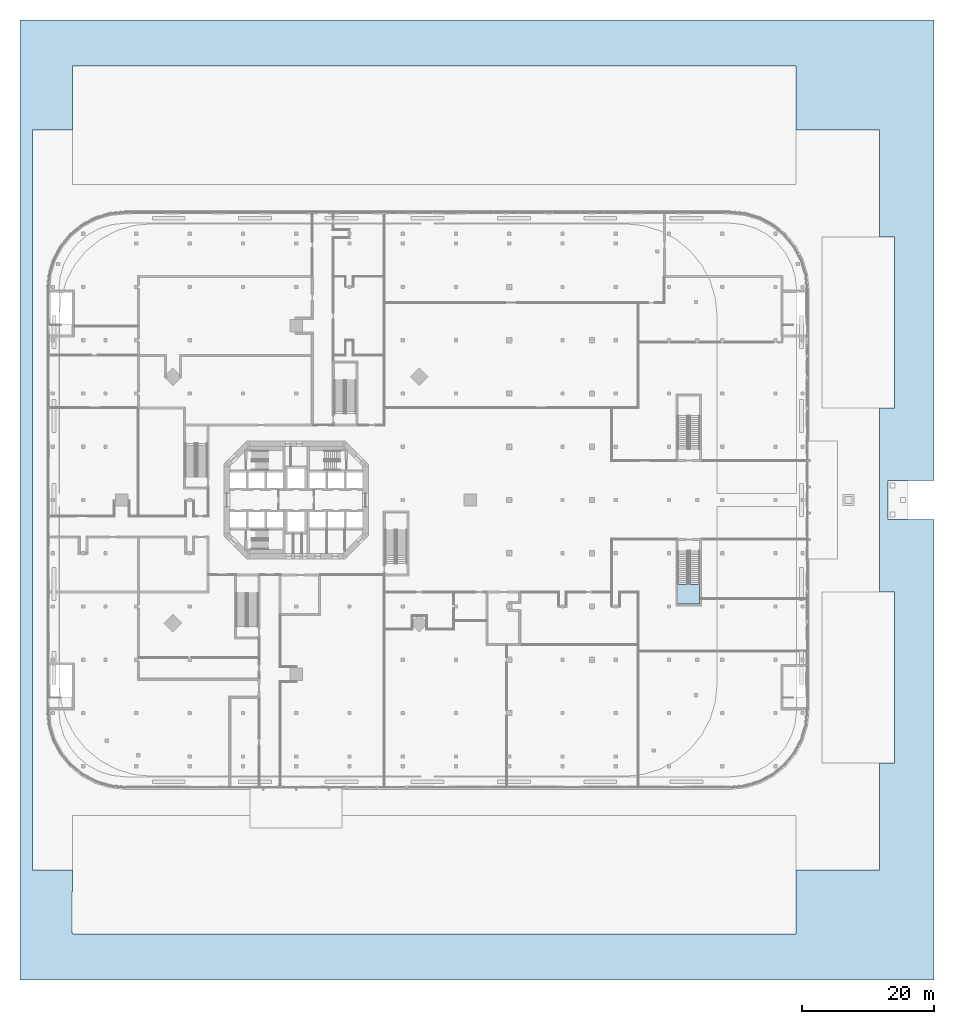
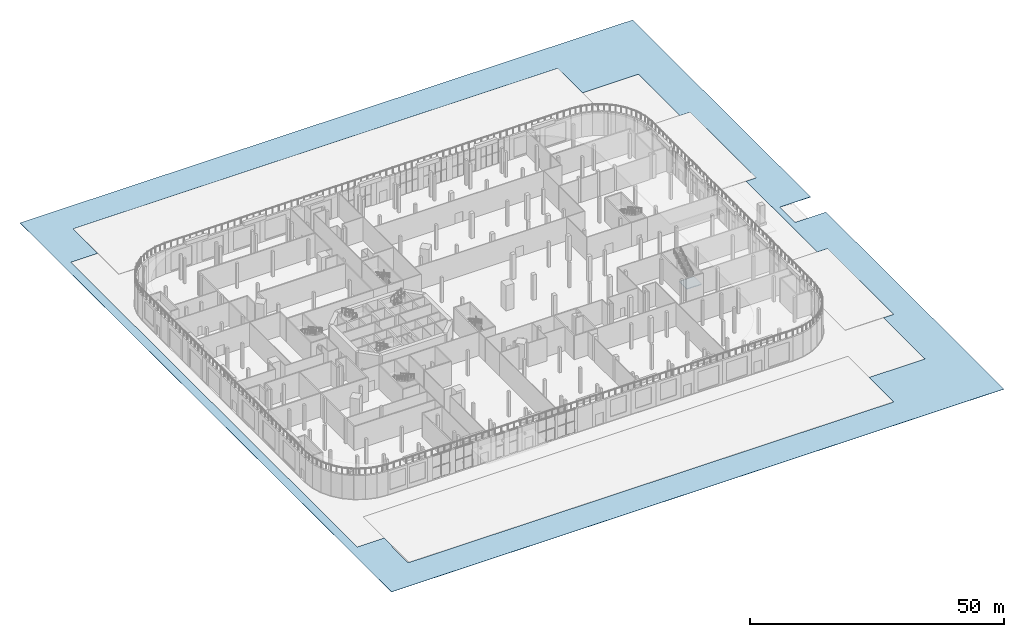
# One storey, part 10 of 32: 2 slabs, 1 element without a shape of its own.
"""IFC4 building model written with IfcOpenShell, lengths in metres."""

from ifc_helpers import new_model, si_unit, direction, frame, origin, place, context, subcontext, project, spatial, polyline, outline, extrude, material, layer, layer_set, type_object, element, aggregate, save


model = new_model("IFC4")

# Units and contexts
model_context = context("Model", 3, precision=1e-05, world=origin(), true_north=direction((0.0, 1.0)))
body_context = subcontext(model_context, "Body", "Model", "MODEL_VIEW")
ifc_project = project(units=[si_unit("LENGTHUNIT", "METRE"), si_unit("AREAUNIT", "SQUARE_METRE"), si_unit("VOLUMEUNIT", "CUBIC_METRE"), si_unit("PLANEANGLEUNIT", "RADIAN"), si_unit("MASSUNIT", "GRAM", prefix="KILO")], contexts=[model_context])

# Site, building, storey
site_placement = place(None, origin())
site = spatial("IfcSite", under=ifc_project, at=site_placement, CompositionType="ELEMENT")
building_placement = place(site_placement, origin())
building = spatial("IfcBuilding", under=site, at=building_placement, Name="Torre Triforio", CompositionType="ELEMENT")
storey_placement = place(building_placement, origin())
storey = spatial("IfcBuildingStorey", under=building, at=storey_placement, Name="L00", CompositionType="ELEMENT", Elevation=0.0)

# Stair, slab
ifc_material_1 = material(Name="Concrete C40", Category="concrete")
stair_type = type_object("IfcStairType", Name="Egress stair 1400 clear", PredefinedType="NOTDEFINED", material=ifc_material_1)
stair_placement = place(storey_placement, origin())
stair = element("IfcStair", 1, at=stair_placement, inside=storey, type_object=stair_type, Name="Exit stair PS6 L00 to L01", PredefinedType="NOTDEFINED")
ifc_layer_1 = layer(ifc_material_1, 0.199951171875)
ifc_layer_set_1 = layer_set([ifc_layer_1], Name="Concrete C40")
slab_type_1 = type_object("IfcSlabType", Name="Egress stair landing 200", PredefinedType="LANDING", material=ifc_layer_set_1)
slab_1_placement = place(storey_placement, frame((0.0, 0.0, 2.800048828125)))
slab_1 = element("IfcSlab", 2, at=slab_1_placement, type_object=slab_type_1, Name="PS6 landing 1", PredefinedType="LANDING", context=body_context, shape_type="SweptSolid", body=[
    extrude(outline(polyline([(58.02490234375, -12.824951171875), (61.375, -12.824951171875), (61.375, -15.824951171875), (58.02490234375, -15.824951171875), (58.02490234375, -12.824951171875)])), origin(), (0.0, 0.0, 1.0), 0.199951171875),
])
aggregate(stair, [slab_1])

# Slab
ifc_material_2 = material(Name="Granite paving on permeable bedding", Category="masonry")
ifc_layer_2 = layer(ifc_material_2, 0.050048828125)
ifc_layer_set_2 = layer_set([ifc_layer_2], Name="Granite paving on permeable bedding")
slab_type_2 = type_object("IfcSlabType", Name="Public garden paving 50", PredefinedType="USERDEFINED", material=ifc_layer_set_2)
slab_2_placement = place(storey_placement, frame((0.0, 0.0, -0.050048828125)))
element("IfcSlab", 3, at=slab_2_placement, inside=storey, type_object=slab_type_2, Name="Public garden paving 1", ObjectType="PAVING", PredefinedType="USERDEFINED", context=body_context, shape_type="SweptSolid", body=[
    extrude(outline(polyline([(90.0, 3.0), (90.0, -3.0), (97.0, -3.0), (97.0, -73.0), (-42.0, -73.0), (-42.0, 73.0), (97.0, 73.0), (97.0, 3.0), (90.0, 3.0)]), holes=[polyline([(-34.0, 66.0), (-34.0, 56.300048828125), (-40.10009765625, 56.300048828125), (-40.10009765625, -56.300048828125), (-34.0, -56.300048828125), (-34.0, -59.60009765625), (-34.179931640625, -59.60009765625), (-34.179931640625, -65.800048828125), (-34.0, -65.800048828125), (-34.0, -66.0), (76.0, -66.0), (76.0, -56.300048828125), (88.699951171875, -56.300048828125), (88.699951171875, -40.0), (91.0, -40.0), (91.0, -14.0), (88.699951171875, -14.0), (88.699951171875, 14.0), (91.0, 14.0), (91.0, 40.0), (88.699951171875, 40.0), (88.699951171875, 56.300048828125), (76.0, 56.300048828125), (76.0, 66.0), (-34.0, 66.0)])]), origin(), (0.0, 0.0, 1.0), 0.050048828125),
])

save(model, "model.ifc")
